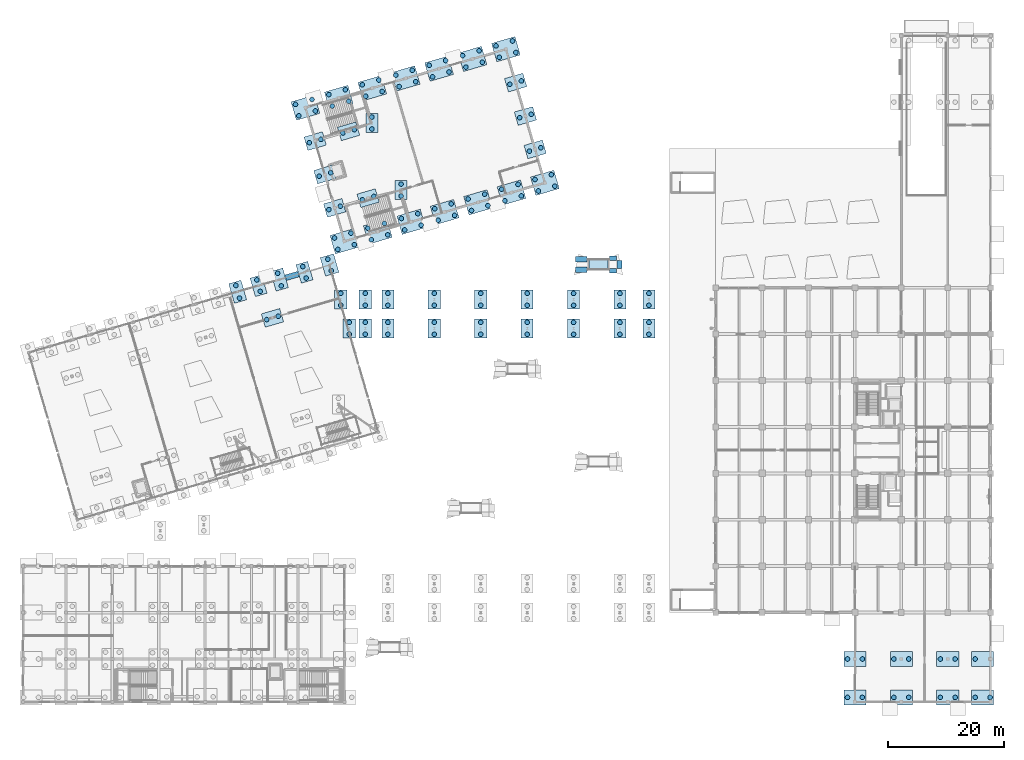
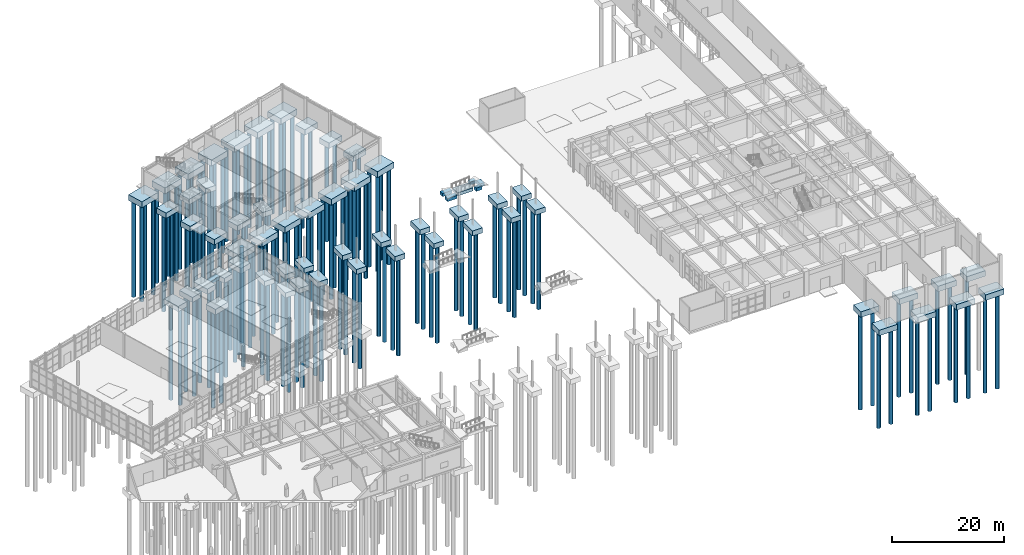
# One storey, part 3 of 90: 139 piles, 63 footings.
"""IFC4 building model written with IfcOpenShell, lengths in metres."""

from ifc_helpers import new_model, si_unit, direction, frame, origin, origin_2d, place, context, subcontext, project, spatial, rectangle, circle, extrude, material, material_profile, profile_set, type_object, element, save


model = new_model("IFC4")

# Units and contexts
model_context = context("Model", 3, precision=1e-05, world=origin(), true_north=direction((0.0, 1.0)))
body_context = subcontext(model_context, "Body", "Model", "MODEL_VIEW")
ifc_project = project(units=[si_unit("LENGTHUNIT", "METRE"), si_unit("AREAUNIT", "SQUARE_METRE"), si_unit("VOLUMEUNIT", "CUBIC_METRE"), si_unit("PLANEANGLEUNIT", "RADIAN"), si_unit("MASSUNIT", "GRAM", prefix="KILO")], contexts=[model_context])

# Site, building, storey
site_placement = place(None, origin())
site = spatial("IfcSite", under=ifc_project, at=site_placement, CompositionType="ELEMENT")
building_placement = place(site_placement, origin())
building = spatial("IfcBuilding", under=site, at=building_placement, Name="Canggui Botanical Conservatory", CompositionType="ELEMENT")
storey_placement = place(building_placement, origin())
storey = spatial("IfcBuildingStorey", under=building, at=storey_placement, Name="L01", CompositionType="ELEMENT", Elevation=0.0)

# Footings
ifc_material = material(Name="Concrete C35", Category="concrete")
footing_type_1 = type_object("IfcFootingType", Name="CAP-CT03", PredefinedType="PILE_CAP", material=ifc_material)
for number, where, z_axis, x_axis, name in (
    (1, (63.43994140625, 85.919921875, -1.5), (0.0, 0.0, 1.0), (-0.279999921111, 0.960000023009, 0.0), "Multi-Pile Cap CT-062"),
    (2, (53.60009765625, 76.800048828125, -1.5), (0.0, 0.0, 1.0), (0.960000000041, 0.279999999861, 0.0), "Multi-Pile Cap CT-070"),
    (3, (64.320068359375, 95.760009765625, -1.47998046875), (0.0, 0.0, 1.0), (0.960000000041, 0.279999999861, 0.0), "Multi-Pile Cap CT-085"),
    (4, (62.639892578125, 101.52001953125, -1.47998046875), (0.0, 0.0, 1.0), (0.960000000041, 0.279999999861, 0.0), "Multi-Pile Cap CT-086"),
    (5, (60.9599609375, 107.280029296875, -1.47998046875), (0.0, 0.0, 1.0), (0.960000000041, 0.279999999861, 0.0), "Multi-Pile Cap CT-087"),
    (6, (70.080078125, 97.43994140625, -1.47998046875), (0.0, 0.0, 1.0), (0.960000000041, 0.279999999861, 0.0), "Multi-Pile Cap CT-088"),
    (7, (66.719970703125, 108.9599609375, -1.47998046875), (0.0, 0.0, 1.0), (0.960000000041, 0.279999999861, 0.0), "Multi-Pile Cap CT-089"),
    (8, (98.8798828125, 105.840087890625, -1.47998046875), (0.0, 0.0, 1.0), (0.960000000041, 0.279999999861, 0.0), "Multi-Pile Cap CT-090"),
    (9, (97.199951171875, 111.60009765625, -1.47998046875), (0.0, 0.0, 1.0), (0.960000000041, 0.279999999861, 0.0), "Multi-Pile Cap CT-091"),
    (10, (95.52001953125, 117.360107421875, -1.47998046875), (0.0, 0.0, 1.0), (0.960000000041, 0.279999999861, 0.0), "Multi-Pile Cap CT-092"),
):
    element("IfcFooting", number, at=place(storey_placement, frame(where, z_axis=z_axis, x_axis=x_axis)), inside=storey, type_object=footing_type_1, Name=name, PredefinedType="PILE_CAP", context=body_context, shape_type="SweptSolid", body=[
        extrude(rectangle(XDim=3.300048828125, YDim=2.39990234375, at=origin_2d()), origin(), (0.0, 0.0, 1.0), 1.199951171875),
    ])
footing_type_2 = type_object("IfcFootingType", Name="CAP-CT04", PredefinedType="PILE_CAP", material=ifc_material)
for number, where, z_axis, x_axis, name in (
    (11, (154.0, 11.3798828125, -1.47998046875), (0.0, 0.0, 1.0), (1.0, 0.0, 0.0), "Multi-Pile Cap CT-093"),
    (12, (162.0, 11.3798828125, -1.47998046875), (0.0, 0.0, 1.0), (1.0, 0.0, 0.0), "Multi-Pile Cap CT-094"),
    (13, (170.0, 11.3798828125, -1.47998046875), (0.0, 0.0, 1.0), (1.0, 0.0, 0.0), "Multi-Pile Cap CT-095"),
    (14, (176.02001953125, 11.3798828125, -1.47998046875), (0.0, 0.0, 1.0), (1.0, 0.0, 0.0), "Multi-Pile Cap CT-096"),
    (15, (154.0, 18.0, -1.47998046875), (0.0, 0.0, 1.0), (1.0, 0.0, 0.0), "Multi-Pile Cap CT-097"),
    (16, (162.0, 18.0, -1.47998046875), (0.0, 0.0, 1.0), (1.0, 0.0, 0.0), "Multi-Pile Cap CT-098"),
    (17, (170.0, 18.0, -1.47998046875), (0.0, 0.0, 1.0), (1.0, 0.0, 0.0), "Multi-Pile Cap CT-099"),
    (18, (176.02001953125, 18.0, -1.47998046875), (0.0, 0.0, 1.0), (1.0, 0.0, 0.0), "Multi-Pile Cap CT-100"),
):
    element("IfcFooting", number, at=place(storey_placement, frame(where, z_axis=z_axis, x_axis=x_axis)), inside=storey, type_object=footing_type_2, Name=name, PredefinedType="PILE_CAP", context=body_context, shape_type="SweptSolid", body=[
        extrude(rectangle(XDim=3.800048828125, YDim=2.60009765625, at=origin_2d()), origin(), (0.0, 0.0, 1.0), 1.199951171875),
    ])
footing_type_3 = type_object("IfcFootingType", Name="CAP-CT05", PredefinedType="PILE_CAP", material=ifc_material)
for number, where, z_axis, x_axis, name in (
    (19, (47.60009765625, 81.300048828125, -1.449951171875), (0.0, 0.0, 1.0), (-0.279999921111, 0.960000023009, 0.0), "Multi-Pile Cap CT-058"),
    (20, (54.800048828125, 83.39990234375, -1.449951171875), (0.0, 0.0, 1.0), (-0.279999921111, 0.960000023009, 0.0), "Multi-Pile Cap CT-060"),
):
    element("IfcFooting", number, at=place(storey_placement, frame(where, z_axis=z_axis, x_axis=x_axis)), inside=storey, type_object=footing_type_3, Name=name, PredefinedType="PILE_CAP", context=body_context, shape_type="SweptSolid", body=[
        extrude(rectangle(XDim=3.5, YDim=2.199951171875, at=origin_2d()), origin(), (0.0, 0.0, 1.0), 1.14990234375),
    ])
footing_type_4 = type_object("IfcFootingType", Name="CAP-CT06", PredefinedType="PILE_CAP", material=ifc_material)
for number, where, z_axis, x_axis, name in (
    (21, (51.199951171875, 82.35009765625, -1.400146484375), (0.0, 0.0, 1.0), (-0.279999921111, 0.960000023009, 0.0), "Multi-Pile Cap CT-059"),
    (22, (59.1201171875, 84.659912109375, -1.400146484375), (0.0, 0.0, 1.0), (-0.279999921111, 0.960000023009, 0.0), "Multi-Pile Cap CT-061"),
    (23, (73.5, 75.0, -1.380126953125), (0.0, 0.0, 1.0), (0.0, 1.0, 0.0), "Multi-Pile Cap CT-109"),
    (24, (73.5, 80.0, -1.380126953125), (0.0, 0.0, 1.0), (0.0, 1.0, 0.0), "Multi-Pile Cap CT-110"),
    (25, (81.5, 75.0, -1.380126953125), (0.0, 0.0, 1.0), (0.0, 1.0, 0.0), "Multi-Pile Cap CT-113"),
    (26, (81.5, 80.0, -1.380126953125), (0.0, 0.0, 1.0), (0.0, 1.0, 0.0), "Multi-Pile Cap CT-114"),
    (27, (89.5, 75.0, -1.380126953125), (0.0, 0.0, 1.0), (0.0, 1.0, 0.0), "Multi-Pile Cap CT-117"),
    (28, (89.5, 80.0, -1.380126953125), (0.0, 0.0, 1.0), (0.0, 1.0, 0.0), "Multi-Pile Cap CT-118"),
    (29, (97.5, 75.0, -1.380126953125), (0.0, 0.0, 1.0), (0.0, 1.0, 0.0), "Multi-Pile Cap CT-121"),
    (30, (97.5, 80.0, -1.380126953125), (0.0, 0.0, 1.0), (0.0, 1.0, 0.0), "Multi-Pile Cap CT-122"),
    (31, (105.5, 75.0, -1.380126953125), (0.0, 0.0, 1.0), (0.0, 1.0, 0.0), "Multi-Pile Cap CT-125"),
    (32, (105.5, 80.0, -1.380126953125), (0.0, 0.0, 1.0), (0.0, 1.0, 0.0), "Multi-Pile Cap CT-126"),
    (33, (113.5, 75.0, -1.380126953125), (0.0, 0.0, 1.0), (0.0, 1.0, 0.0), "Multi-Pile Cap CT-129"),
    (34, (113.5, 80.0, -1.380126953125), (0.0, 0.0, 1.0), (0.0, 1.0, 0.0), "Multi-Pile Cap CT-130"),
    (35, (118.5, 75.0, -1.380126953125), (0.0, 0.0, 1.0), (0.0, 1.0, 0.0), "Multi-Pile Cap CT-133"),
    (36, (118.5, 80.0, -1.380126953125), (0.0, 0.0, 1.0), (0.0, 1.0, 0.0), "Multi-Pile Cap CT-134"),
    (37, (66.830078125, 75.0, -1.380126953125), (0.0, 0.0, 1.0), (0.0, 1.0, 0.0), "Multi-Pile Cap CT-135"),
    (38, (65.3701171875, 80.0, -1.380126953125), (0.0, 0.0, 1.0), (0.0, 1.0, 0.0), "Multi-Pile Cap CT-136"),
    (39, (69.60009765625, 75.0, -1.380126953125), (0.0, 0.0, 1.0), (0.0, 1.0, 0.0), "Multi-Pile Cap CT-137"),
    (40, (69.60009765625, 80.0, -1.380126953125), (0.0, 0.0, 1.0), (0.0, 1.0, 0.0), "Multi-Pile Cap CT-138"),
    (41, (75.76611328125, 98.837890625, -1.380126953125), (0.0, 0.0, 1.0), (0.0, 1.0, 0.0), "Multi-Pile Cap CT-142"),
    (42, (70.72998046875, 110.389892578125, -1.380126953125), (0.0, 0.0, 1.0), (0.0, 1.0, 0.0), "Multi-Pile Cap CT-143"),
):
    element("IfcFooting", number, at=place(storey_placement, frame(where, z_axis=z_axis, x_axis=x_axis)), inside=storey, type_object=footing_type_4, Name=name, PredefinedType="PILE_CAP", context=body_context, shape_type="SweptSolid", body=[
        extrude(rectangle(XDim=3.300048828125, YDim=2.10009765625, at=origin_2d()), origin(), (0.0, 0.0, 1.0), 1.10009765625),
    ])
footing_type_5 = type_object("IfcFootingType", Name="CAP-CT08", PredefinedType="PILE_CAP", material=ifc_material)
for number, where, z_axis, x_axis, name in (
    (43, (66.0, 90.0, -1.580078125), (0.0, 0.0, 1.0), (0.960000000041, 0.279999999861, 0.0), "Multi-Pile Cap CT-071"),
    (44, (59.280029296875, 113.0400390625, -1.580078125), (0.0, 0.0, 1.0), (0.960000000041, 0.279999999861, 0.0), "Multi-Pile Cap CT-072"),
    (45, (71.760009765625, 91.679931640625, -1.580078125), (0.0, 0.0, 1.0), (0.960000000041, 0.279999999861, 0.0), "Multi-Pile Cap CT-073"),
    (46, (65.0400390625, 114.719970703125, -1.580078125), (0.0, 0.0, 1.0), (0.960000000041, 0.279999999861, 0.0), "Multi-Pile Cap CT-074"),
    (47, (77.52001953125, 93.360107421875, -1.580078125), (0.0, 0.0, 1.0), (0.960000000041, 0.279999999861, 0.0), "Multi-Pile Cap CT-075"),
    (48, (70.800048828125, 116.39990234375, -1.580078125), (0.0, 0.0, 1.0), (0.960000000041, 0.279999999861, 0.0), "Multi-Pile Cap CT-076"),
    (49, (83.280029296875, 95.0400390625, -1.580078125), (0.0, 0.0, 1.0), (0.960000000041, 0.279999999861, 0.0), "Multi-Pile Cap CT-077"),
    (50, (76.56005859375, 118.080078125, -1.580078125), (0.0, 0.0, 1.0), (0.960000000041, 0.279999999861, 0.0), "Multi-Pile Cap CT-078"),
    (51, (89.0400390625, 96.719970703125, -1.580078125), (0.0, 0.0, 1.0), (0.960000000041, 0.279999999861, 0.0), "Multi-Pile Cap CT-079"),
    (52, (82.320068359375, 119.760009765625, -1.580078125), (0.0, 0.0, 1.0), (0.960000000041, 0.279999999861, 0.0), "Multi-Pile Cap CT-080"),
    (53, (94.800048828125, 98.39990234375, -1.580078125), (0.0, 0.0, 1.0), (0.960000000041, 0.279999999861, 0.0), "Multi-Pile Cap CT-081"),
    (54, (88.080078125, 121.43994140625, -1.580078125), (0.0, 0.0, 1.0), (0.960000000041, 0.279999999861, 0.0), "Multi-Pile Cap CT-082"),
    (55, (100.56005859375, 100.080078125, -1.580078125), (0.0, 0.0, 1.0), (0.960000000041, 0.279999999861, 0.0), "Multi-Pile Cap CT-083"),
    (56, (93.840087890625, 123.1201171875, -1.580078125), (0.0, 0.0, 1.0), (0.960000000041, 0.279999999861, 0.0), "Multi-Pile Cap CT-084"),
):
    element("IfcFooting", number, at=place(storey_placement, frame(where, z_axis=z_axis, x_axis=x_axis)), inside=storey, type_object=footing_type_5, Name=name, PredefinedType="PILE_CAP", context=body_context, shape_type="SweptSolid", body=[
        extrude(rectangle(XDim=4.199951171875, YDim=3.300048828125, at=origin_2d()), origin(), (0.0, 0.0, 1.0), 1.300048828125),
    ])

# Piles
ifc_material_profile = material_profile(ifc_material, circle(Radius=0.39990234375, at=origin_2d()), Name="PILE D800")
ifc_profile_set = profile_set([ifc_material_profile], Name="Concrete C35")
pile_type = type_object("IfcPileType", Name="PILE-ZH2", PredefinedType="BORED", material=ifc_profile_set)
for number, where, z_axis, x_axis, name in (
    (57, (47.91650390625, 80.215087890625, -1.35009765625), (0.0, 0.0, -1.0), (1.0, 0.0, 0.0), "Bored Pile ZH-CAP-257"),
    (58, (47.28369140625, 82.384765625, -1.35009765625), (0.0, 0.0, -1.0), (1.0, 0.0, 0.0), "Bored Pile ZH-CAP-258"),
):
    element("IfcPile", number, at=place(storey_placement, frame(where, z_axis=z_axis, x_axis=x_axis)), inside=storey, type_object=pile_type, Name=name, PredefinedType="BORED", context=body_context, shape_type="SweptSolid", body=[
        extrude(circle(Radius=0.39990234375, at=origin_2d()), origin(), (0.0, 0.0, 1.0), 21.14990234375),
    ])
for number, where, z_axis, x_axis, name in (
    (59, (51.48828125, 81.361083984375, -1.300048828125), (0.0, 0.0, -1.0), (1.0, 0.0, 0.0), "Bored Pile ZH-CAP-259"),
    (60, (50.91162109375, 83.3388671875, -1.300048828125), (0.0, 0.0, -1.0), (1.0, 0.0, 0.0), "Bored Pile ZH-CAP-260"),
):
    element("IfcPile", number, at=place(storey_placement, frame(where, z_axis=z_axis, x_axis=x_axis)), inside=storey, type_object=pile_type, Name=name, PredefinedType="BORED", context=body_context, shape_type="SweptSolid", body=[
        extrude(circle(Radius=0.39990234375, at=origin_2d()), origin(), (0.0, 0.0, 1.0), 21.199951171875),
    ])
for number, where, z_axis, x_axis, name in (
    (61, (55.116455078125, 82.315185546875, -1.35009765625), (0.0, 0.0, -1.0), (1.0, 0.0, 0.0), "Bored Pile ZH-CAP-261"),
    (62, (54.483642578125, 84.48486328125, -1.35009765625), (0.0, 0.0, -1.0), (1.0, 0.0, 0.0), "Bored Pile ZH-CAP-262"),
):
    element("IfcPile", number, at=place(storey_placement, frame(where, z_axis=z_axis, x_axis=x_axis)), inside=storey, type_object=pile_type, Name=name, PredefinedType="BORED", context=body_context, shape_type="SweptSolid", body=[
        extrude(circle(Radius=0.39990234375, at=origin_2d()), origin(), (0.0, 0.0, 1.0), 21.14990234375),
    ])
for number, where, z_axis, x_axis, name in (
    (63, (59.408447265625, 83.671142578125, -1.300048828125), (0.0, 0.0, -1.0), (1.0, 0.0, 0.0), "Bored Pile ZH-CAP-263"),
    (64, (58.83154296875, 85.648681640625, -1.300048828125), (0.0, 0.0, -1.0), (1.0, 0.0, 0.0), "Bored Pile ZH-CAP-264"),
):
    element("IfcPile", number, at=place(storey_placement, frame(where, z_axis=z_axis, x_axis=x_axis)), inside=storey, type_object=pile_type, Name=name, PredefinedType="BORED", context=body_context, shape_type="SweptSolid", body=[
        extrude(circle(Radius=0.39990234375, at=origin_2d()), origin(), (0.0, 0.0, 1.0), 21.199951171875),
    ])
for number, where, z_axis, x_axis, name in (
    (65, (63.728515625, 84.93115234375, -1.39990234375), (0.0, 0.0, -1.0), (1.0, 0.0, 0.0), "Bored Pile ZH-CAP-265"),
    (66, (63.151611328125, 86.90869140625, -1.39990234375), (0.0, 0.0, -1.0), (1.0, 0.0, 0.0), "Bored Pile ZH-CAP-266"),
    (67, (52.611083984375, 76.51171875, -1.39990234375), (0.0, 0.0, -1.0), (1.0, 0.0, 0.0), "Bored Pile ZH-CAP-281"),
    (68, (54.5888671875, 77.08837890625, -1.39990234375), (0.0, 0.0, -1.0), (1.0, 0.0, 0.0), "Bored Pile ZH-CAP-282"),
):
    element("IfcPile", number, at=place(storey_placement, frame(where, z_axis=z_axis, x_axis=x_axis)), inside=storey, type_object=pile_type, Name=name, PredefinedType="BORED", context=body_context, shape_type="SweptSolid", body=[
        extrude(circle(Radius=0.39990234375, at=origin_2d()), origin(), (0.0, 0.0, 1.0), 21.10009765625),
    ])
for number, where, z_axis, x_axis, name in (
    (69, (64.86767578125, 88.5966796875, -1.47998046875), (0.0, 0.0, -1.0), (1.0, 0.0, 0.0), "Bored Pile ZH-CAP-283"),
    (70, (67.709228515625, 89.425537109375, -1.47998046875), (0.0, 0.0, -1.0), (1.0, 0.0, 0.0), "Bored Pile ZH-CAP-284"),
    (71, (64.290771484375, 90.574462890625, -1.47998046875), (0.0, 0.0, -1.0), (1.0, 0.0, 0.0), "Bored Pile ZH-CAP-285"),
    (72, (67.13232421875, 91.4033203125, -1.47998046875), (0.0, 0.0, -1.0), (1.0, 0.0, 0.0), "Bored Pile ZH-CAP-286"),
    (73, (58.147705078125, 111.63671875, -1.47998046875), (0.0, 0.0, -1.0), (1.0, 0.0, 0.0), "Bored Pile ZH-CAP-287"),
    (74, (60.9892578125, 112.465576171875, -1.47998046875), (0.0, 0.0, -1.0), (1.0, 0.0, 0.0), "Bored Pile ZH-CAP-288"),
    (75, (57.57080078125, 113.614501953125, -1.47998046875), (0.0, 0.0, -1.0), (1.0, 0.0, 0.0), "Bored Pile ZH-CAP-289"),
    (76, (60.412353515625, 114.443115234375, -1.47998046875), (0.0, 0.0, -1.0), (1.0, 0.0, 0.0), "Bored Pile ZH-CAP-290"),
    (77, (70.627685546875, 90.27685546875, -1.47998046875), (0.0, 0.0, -1.0), (1.0, 0.0, 0.0), "Bored Pile ZH-CAP-291"),
    (78, (73.46923828125, 91.105712890625, -1.47998046875), (0.0, 0.0, -1.0), (1.0, 0.0, 0.0), "Bored Pile ZH-CAP-292"),
    (79, (70.05078125, 92.25439453125, -1.47998046875), (0.0, 0.0, -1.0), (1.0, 0.0, 0.0), "Bored Pile ZH-CAP-293"),
    (80, (72.892333984375, 93.083251953125, -1.47998046875), (0.0, 0.0, -1.0), (1.0, 0.0, 0.0), "Bored Pile ZH-CAP-294"),
    (81, (63.90771484375, 113.31689453125, -1.47998046875), (0.0, 0.0, -1.0), (1.0, 0.0, 0.0), "Bored Pile ZH-CAP-295"),
    (82, (66.749267578125, 114.1455078125, -1.47998046875), (0.0, 0.0, -1.0), (1.0, 0.0, 0.0), "Bored Pile ZH-CAP-296"),
    (83, (63.330810546875, 115.29443359375, -1.47998046875), (0.0, 0.0, -1.0), (1.0, 0.0, 0.0), "Bored Pile ZH-CAP-297"),
    (84, (66.17236328125, 116.123291015625, -1.47998046875), (0.0, 0.0, -1.0), (1.0, 0.0, 0.0), "Bored Pile ZH-CAP-298"),
    (85, (76.3876953125, 91.956787109375, -1.47998046875), (0.0, 0.0, -1.0), (1.0, 0.0, 0.0), "Bored Pile ZH-CAP-299"),
    (86, (79.229248046875, 92.78564453125, -1.47998046875), (0.0, 0.0, -1.0), (1.0, 0.0, 0.0), "Bored Pile ZH-CAP-300"),
    (87, (75.810791015625, 93.934326171875, -1.47998046875), (0.0, 0.0, -1.0), (1.0, 0.0, 0.0), "Bored Pile ZH-CAP-301"),
    (88, (78.65234375, 94.76318359375, -1.47998046875), (0.0, 0.0, -1.0), (1.0, 0.0, 0.0), "Bored Pile ZH-CAP-302"),
    (89, (69.66748046875, 114.996826171875, -1.47998046875), (0.0, 0.0, -1.0), (1.0, 0.0, 0.0), "Bored Pile ZH-CAP-303"),
    (90, (72.50927734375, 115.82568359375, -1.47998046875), (0.0, 0.0, -1.0), (1.0, 0.0, 0.0), "Bored Pile ZH-CAP-304"),
    (91, (69.0908203125, 116.974365234375, -1.47998046875), (0.0, 0.0, -1.0), (1.0, 0.0, 0.0), "Bored Pile ZH-CAP-305"),
    (92, (71.932373046875, 117.80322265625, -1.47998046875), (0.0, 0.0, -1.0), (1.0, 0.0, 0.0), "Bored Pile ZH-CAP-306"),
    (93, (82.147705078125, 93.63671875, -1.47998046875), (0.0, 0.0, -1.0), (1.0, 0.0, 0.0), "Bored Pile ZH-CAP-307"),
    (94, (84.9892578125, 94.465576171875, -1.47998046875), (0.0, 0.0, -1.0), (1.0, 0.0, 0.0), "Bored Pile ZH-CAP-308"),
    (95, (81.57080078125, 95.614501953125, -1.47998046875), (0.0, 0.0, -1.0), (1.0, 0.0, 0.0), "Bored Pile ZH-CAP-309"),
    (96, (84.412353515625, 96.443115234375, -1.47998046875), (0.0, 0.0, -1.0), (1.0, 0.0, 0.0), "Bored Pile ZH-CAP-310"),
    (97, (75.427490234375, 116.6767578125, -1.47998046875), (0.0, 0.0, -1.0), (1.0, 0.0, 0.0), "Bored Pile ZH-CAP-311"),
    (98, (78.269287109375, 117.505615234375, -1.47998046875), (0.0, 0.0, -1.0), (1.0, 0.0, 0.0), "Bored Pile ZH-CAP-312"),
    (99, (74.850830078125, 118.654296875, -1.47998046875), (0.0, 0.0, -1.0), (1.0, 0.0, 0.0), "Bored Pile ZH-CAP-313"),
    (100, (77.6923828125, 119.483154296875, -1.47998046875), (0.0, 0.0, -1.0), (1.0, 0.0, 0.0), "Bored Pile ZH-CAP-314"),
    (101, (87.90771484375, 95.31689453125, -1.47998046875), (0.0, 0.0, -1.0), (1.0, 0.0, 0.0), "Bored Pile ZH-CAP-315"),
    (102, (90.749267578125, 96.1455078125, -1.47998046875), (0.0, 0.0, -1.0), (1.0, 0.0, 0.0), "Bored Pile ZH-CAP-316"),
    (103, (87.330810546875, 97.29443359375, -1.47998046875), (0.0, 0.0, -1.0), (1.0, 0.0, 0.0), "Bored Pile ZH-CAP-317"),
    (104, (90.17236328125, 98.123291015625, -1.47998046875), (0.0, 0.0, -1.0), (1.0, 0.0, 0.0), "Bored Pile ZH-CAP-318"),
    (105, (81.1875, 118.356689453125, -1.47998046875), (0.0, 0.0, -1.0), (1.0, 0.0, 0.0), "Bored Pile ZH-CAP-319"),
    (106, (84.029296875, 119.185546875, -1.47998046875), (0.0, 0.0, -1.0), (1.0, 0.0, 0.0), "Bored Pile ZH-CAP-320"),
    (107, (80.61083984375, 120.33447265625, -1.47998046875), (0.0, 0.0, -1.0), (1.0, 0.0, 0.0), "Bored Pile ZH-CAP-321"),
    (108, (83.452392578125, 121.1630859375, -1.47998046875), (0.0, 0.0, -1.0), (1.0, 0.0, 0.0), "Bored Pile ZH-CAP-322"),
    (109, (93.66748046875, 96.996826171875, -1.47998046875), (0.0, 0.0, -1.0), (1.0, 0.0, 0.0), "Bored Pile ZH-CAP-323"),
    (110, (96.50927734375, 97.82568359375, -1.47998046875), (0.0, 0.0, -1.0), (1.0, 0.0, 0.0), "Bored Pile ZH-CAP-324"),
    (111, (93.0908203125, 98.974365234375, -1.47998046875), (0.0, 0.0, -1.0), (1.0, 0.0, 0.0), "Bored Pile ZH-CAP-325"),
    (112, (95.932373046875, 99.80322265625, -1.47998046875), (0.0, 0.0, -1.0), (1.0, 0.0, 0.0), "Bored Pile ZH-CAP-326"),
    (113, (86.947509765625, 120.036865234375, -1.47998046875), (0.0, 0.0, -1.0), (1.0, 0.0, 0.0), "Bored Pile ZH-CAP-327"),
    (114, (89.789306640625, 120.865478515625, -1.47998046875), (0.0, 0.0, -1.0), (1.0, 0.0, 0.0), "Bored Pile ZH-CAP-328"),
    (115, (86.370849609375, 122.014404296875, -1.47998046875), (0.0, 0.0, -1.0), (1.0, 0.0, 0.0), "Bored Pile ZH-CAP-329"),
    (116, (89.21240234375, 122.84326171875, -1.47998046875), (0.0, 0.0, -1.0), (1.0, 0.0, 0.0), "Bored Pile ZH-CAP-330"),
    (117, (99.427490234375, 98.6767578125, -1.47998046875), (0.0, 0.0, -1.0), (1.0, 0.0, 0.0), "Bored Pile ZH-CAP-331"),
    (118, (102.269287109375, 99.505615234375, -1.47998046875), (0.0, 0.0, -1.0), (1.0, 0.0, 0.0), "Bored Pile ZH-CAP-332"),
    (119, (98.850830078125, 100.654296875, -1.47998046875), (0.0, 0.0, -1.0), (1.0, 0.0, 0.0), "Bored Pile ZH-CAP-333"),
    (120, (101.6923828125, 101.483154296875, -1.47998046875), (0.0, 0.0, -1.0), (1.0, 0.0, 0.0), "Bored Pile ZH-CAP-334"),
    (121, (92.70751953125, 121.716796875, -1.47998046875), (0.0, 0.0, -1.0), (1.0, 0.0, 0.0), "Bored Pile ZH-CAP-335"),
    (122, (95.54931640625, 122.545654296875, -1.47998046875), (0.0, 0.0, -1.0), (1.0, 0.0, 0.0), "Bored Pile ZH-CAP-336"),
    (123, (92.130859375, 123.6943359375, -1.47998046875), (0.0, 0.0, -1.0), (1.0, 0.0, 0.0), "Bored Pile ZH-CAP-337"),
    (124, (94.972412109375, 124.523193359375, -1.47998046875), (0.0, 0.0, -1.0), (1.0, 0.0, 0.0), "Bored Pile ZH-CAP-338"),
):
    element("IfcPile", number, at=place(storey_placement, frame(where, z_axis=z_axis, x_axis=x_axis)), inside=storey, type_object=pile_type, Name=name, PredefinedType="BORED", context=body_context, shape_type="SweptSolid", body=[
        extrude(circle(Radius=0.39990234375, at=origin_2d()), origin(), (0.0, 0.0, 1.0), 21.02001953125),
    ])
for number, where, z_axis, x_axis, name in (
    (125, (63.331298828125, 95.4716796875, -1.3798828125), (0.0, 0.0, -1.0), (1.0, 0.0, 0.0), "Bored Pile ZH-CAP-339"),
    (126, (65.308837890625, 96.04833984375, -1.3798828125), (0.0, 0.0, -1.0), (1.0, 0.0, 0.0), "Bored Pile ZH-CAP-340"),
    (127, (61.651123046875, 101.231689453125, -1.3798828125), (0.0, 0.0, -1.0), (1.0, 0.0, 0.0), "Bored Pile ZH-CAP-341"),
    (128, (63.62890625, 101.808349609375, -1.3798828125), (0.0, 0.0, -1.0), (1.0, 0.0, 0.0), "Bored Pile ZH-CAP-342"),
    (129, (59.97119140625, 106.99169921875, -1.3798828125), (0.0, 0.0, -1.0), (1.0, 0.0, 0.0), "Bored Pile ZH-CAP-343"),
    (130, (61.94873046875, 107.568359375, -1.3798828125), (0.0, 0.0, -1.0), (1.0, 0.0, 0.0), "Bored Pile ZH-CAP-344"),
    (131, (69.09130859375, 97.151611328125, -1.3798828125), (0.0, 0.0, -1.0), (1.0, 0.0, 0.0), "Bored Pile ZH-CAP-345"),
    (132, (71.06884765625, 97.728515625, -1.3798828125), (0.0, 0.0, -1.0), (1.0, 0.0, 0.0), "Bored Pile ZH-CAP-346"),
    (133, (65.731201171875, 108.671630859375, -1.3798828125), (0.0, 0.0, -1.0), (1.0, 0.0, 0.0), "Bored Pile ZH-CAP-347"),
    (134, (67.708740234375, 109.248291015625, -1.3798828125), (0.0, 0.0, -1.0), (1.0, 0.0, 0.0), "Bored Pile ZH-CAP-348"),
    (135, (97.89111328125, 105.551513671875, -1.3798828125), (0.0, 0.0, -1.0), (1.0, 0.0, 0.0), "Bored Pile ZH-CAP-349"),
    (136, (99.868896484375, 106.12841796875, -1.3798828125), (0.0, 0.0, -1.0), (1.0, 0.0, 0.0), "Bored Pile ZH-CAP-350"),
    (137, (96.211181640625, 111.3115234375, -1.3798828125), (0.0, 0.0, -1.0), (1.0, 0.0, 0.0), "Bored Pile ZH-CAP-351"),
    (138, (98.188720703125, 111.888427734375, -1.3798828125), (0.0, 0.0, -1.0), (1.0, 0.0, 0.0), "Bored Pile ZH-CAP-352"),
    (139, (94.53125, 117.071533203125, -1.3798828125), (0.0, 0.0, -1.0), (1.0, 0.0, 0.0), "Bored Pile ZH-CAP-353"),
    (140, (96.5087890625, 117.6484375, -1.3798828125), (0.0, 0.0, -1.0), (1.0, 0.0, 0.0), "Bored Pile ZH-CAP-354"),
    (141, (152.719970703125, 11.3798828125, -1.3798828125), (0.0, 0.0, -1.0), (1.0, 0.0, 0.0), "Bored Pile ZH-CAP-355"),
    (142, (155.280029296875, 11.3798828125, -1.3798828125), (0.0, 0.0, -1.0), (1.0, 0.0, 0.0), "Bored Pile ZH-CAP-356"),
    (143, (160.719970703125, 11.3798828125, -1.3798828125), (0.0, 0.0, -1.0), (1.0, 0.0, 0.0), "Bored Pile ZH-CAP-357"),
    (144, (163.280029296875, 11.3798828125, -1.3798828125), (0.0, 0.0, -1.0), (1.0, 0.0, 0.0), "Bored Pile ZH-CAP-358"),
    (145, (168.719970703125, 11.3798828125, -1.3798828125), (0.0, 0.0, -1.0), (1.0, 0.0, 0.0), "Bored Pile ZH-CAP-359"),
    (146, (171.280029296875, 11.3798828125, -1.3798828125), (0.0, 0.0, -1.0), (1.0, 0.0, 0.0), "Bored Pile ZH-CAP-360"),
    (147, (174.739990234375, 11.3798828125, -1.3798828125), (0.0, 0.0, -1.0), (1.0, 0.0, 0.0), "Bored Pile ZH-CAP-361"),
    (148, (177.300048828125, 11.3798828125, -1.3798828125), (0.0, 0.0, -1.0), (1.0, 0.0, 0.0), "Bored Pile ZH-CAP-362"),
    (149, (152.719970703125, 18.0, -1.3798828125), (0.0, 0.0, -1.0), (1.0, 0.0, 0.0), "Bored Pile ZH-CAP-363"),
    (150, (155.280029296875, 18.0, -1.3798828125), (0.0, 0.0, -1.0), (1.0, 0.0, 0.0), "Bored Pile ZH-CAP-364"),
    (151, (160.719970703125, 18.0, -1.3798828125), (0.0, 0.0, -1.0), (1.0, 0.0, 0.0), "Bored Pile ZH-CAP-365"),
    (152, (163.280029296875, 18.0, -1.3798828125), (0.0, 0.0, -1.0), (1.0, 0.0, 0.0), "Bored Pile ZH-CAP-366"),
    (153, (168.719970703125, 18.0, -1.3798828125), (0.0, 0.0, -1.0), (1.0, 0.0, 0.0), "Bored Pile ZH-CAP-367"),
    (154, (171.280029296875, 18.0, -1.3798828125), (0.0, 0.0, -1.0), (1.0, 0.0, 0.0), "Bored Pile ZH-CAP-368"),
    (155, (174.739990234375, 18.0, -1.3798828125), (0.0, 0.0, -1.0), (1.0, 0.0, 0.0), "Bored Pile ZH-CAP-369"),
):
    element("IfcPile", number, at=place(storey_placement, frame(where, z_axis=z_axis, x_axis=x_axis)), inside=storey, type_object=pile_type, Name=name, PredefinedType="BORED", context=body_context, shape_type="SweptSolid", body=[
        extrude(circle(Radius=0.39990234375, at=origin_2d()), origin(), (0.0, 0.0, 1.0), 21.1201171875),
    ])
for number, where, z_axis, x_axis, name in (
    (156, (73.5, 73.969970703125, -1.280029296875), (0.0, 0.0, -1.0), (1.0, 0.0, 0.0), "Bored Pile ZH-CAP-387"),
    (157, (73.5, 76.030029296875, -1.280029296875), (0.0, 0.0, -1.0), (1.0, 0.0, 0.0), "Bored Pile ZH-CAP-388"),
    (158, (73.5, 78.969970703125, -1.280029296875), (0.0, 0.0, -1.0), (1.0, 0.0, 0.0), "Bored Pile ZH-CAP-389"),
    (159, (73.5, 81.030029296875, -1.280029296875), (0.0, 0.0, -1.0), (1.0, 0.0, 0.0), "Bored Pile ZH-CAP-390"),
    (160, (81.5, 73.969970703125, -1.280029296875), (0.0, 0.0, -1.0), (1.0, 0.0, 0.0), "Bored Pile ZH-CAP-395"),
    (161, (81.5, 76.030029296875, -1.280029296875), (0.0, 0.0, -1.0), (1.0, 0.0, 0.0), "Bored Pile ZH-CAP-396"),
    (162, (81.5, 78.969970703125, -1.280029296875), (0.0, 0.0, -1.0), (1.0, 0.0, 0.0), "Bored Pile ZH-CAP-397"),
    (163, (81.5, 81.030029296875, -1.280029296875), (0.0, 0.0, -1.0), (1.0, 0.0, 0.0), "Bored Pile ZH-CAP-398"),
    (164, (89.5, 73.969970703125, -1.280029296875), (0.0, 0.0, -1.0), (1.0, 0.0, 0.0), "Bored Pile ZH-CAP-403"),
    (165, (89.5, 76.030029296875, -1.280029296875), (0.0, 0.0, -1.0), (1.0, 0.0, 0.0), "Bored Pile ZH-CAP-404"),
    (166, (89.5, 78.969970703125, -1.280029296875), (0.0, 0.0, -1.0), (1.0, 0.0, 0.0), "Bored Pile ZH-CAP-405"),
    (167, (89.5, 81.030029296875, -1.280029296875), (0.0, 0.0, -1.0), (1.0, 0.0, 0.0), "Bored Pile ZH-CAP-406"),
    (168, (97.5, 73.969970703125, -1.280029296875), (0.0, 0.0, -1.0), (1.0, 0.0, 0.0), "Bored Pile ZH-CAP-411"),
    (169, (97.5, 76.030029296875, -1.280029296875), (0.0, 0.0, -1.0), (1.0, 0.0, 0.0), "Bored Pile ZH-CAP-412"),
    (170, (97.5, 78.969970703125, -1.280029296875), (0.0, 0.0, -1.0), (1.0, 0.0, 0.0), "Bored Pile ZH-CAP-413"),
    (171, (97.5, 81.030029296875, -1.280029296875), (0.0, 0.0, -1.0), (1.0, 0.0, 0.0), "Bored Pile ZH-CAP-414"),
    (172, (105.5, 73.969970703125, -1.280029296875), (0.0, 0.0, -1.0), (1.0, 0.0, 0.0), "Bored Pile ZH-CAP-419"),
    (173, (105.5, 76.030029296875, -1.280029296875), (0.0, 0.0, -1.0), (1.0, 0.0, 0.0), "Bored Pile ZH-CAP-420"),
    (174, (105.5, 78.969970703125, -1.280029296875), (0.0, 0.0, -1.0), (1.0, 0.0, 0.0), "Bored Pile ZH-CAP-421"),
    (175, (105.5, 81.030029296875, -1.280029296875), (0.0, 0.0, -1.0), (1.0, 0.0, 0.0), "Bored Pile ZH-CAP-422"),
    (176, (113.5, 73.969970703125, -1.280029296875), (0.0, 0.0, -1.0), (1.0, 0.0, 0.0), "Bored Pile ZH-CAP-427"),
    (177, (113.5, 76.030029296875, -1.280029296875), (0.0, 0.0, -1.0), (1.0, 0.0, 0.0), "Bored Pile ZH-CAP-428"),
    (178, (113.5, 78.969970703125, -1.280029296875), (0.0, 0.0, -1.0), (1.0, 0.0, 0.0), "Bored Pile ZH-CAP-429"),
    (179, (113.5, 81.030029296875, -1.280029296875), (0.0, 0.0, -1.0), (1.0, 0.0, 0.0), "Bored Pile ZH-CAP-430"),
    (180, (118.5, 73.969970703125, -1.280029296875), (0.0, 0.0, -1.0), (1.0, 0.0, 0.0), "Bored Pile ZH-CAP-435"),
    (181, (118.5, 76.030029296875, -1.280029296875), (0.0, 0.0, -1.0), (1.0, 0.0, 0.0), "Bored Pile ZH-CAP-436"),
    (182, (118.5, 78.969970703125, -1.280029296875), (0.0, 0.0, -1.0), (1.0, 0.0, 0.0), "Bored Pile ZH-CAP-437"),
    (183, (118.5, 81.030029296875, -1.280029296875), (0.0, 0.0, -1.0), (1.0, 0.0, 0.0), "Bored Pile ZH-CAP-438"),
    (184, (66.830078125, 73.969970703125, -1.280029296875), (0.0, 0.0, -1.0), (1.0, 0.0, 0.0), "Bored Pile ZH-CAP-439"),
    (185, (66.830078125, 76.030029296875, -1.280029296875), (0.0, 0.0, -1.0), (1.0, 0.0, 0.0), "Bored Pile ZH-CAP-440"),
    (186, (65.3701171875, 78.969970703125, -1.280029296875), (0.0, 0.0, -1.0), (1.0, 0.0, 0.0), "Bored Pile ZH-CAP-441"),
    (187, (65.3701171875, 81.030029296875, -1.280029296875), (0.0, 0.0, -1.0), (1.0, 0.0, 0.0), "Bored Pile ZH-CAP-442"),
    (188, (69.60009765625, 73.969970703125, -1.280029296875), (0.0, 0.0, -1.0), (1.0, 0.0, 0.0), "Bored Pile ZH-CAP-443"),
    (189, (69.60009765625, 76.030029296875, -1.280029296875), (0.0, 0.0, -1.0), (1.0, 0.0, 0.0), "Bored Pile ZH-CAP-444"),
    (190, (69.60009765625, 78.969970703125, -1.280029296875), (0.0, 0.0, -1.0), (1.0, 0.0, 0.0), "Bored Pile ZH-CAP-445"),
    (191, (69.60009765625, 81.030029296875, -1.280029296875), (0.0, 0.0, -1.0), (1.0, 0.0, 0.0), "Bored Pile ZH-CAP-446"),
    (192, (75.76611328125, 97.80810546875, -1.280029296875), (0.0, 0.0, -1.0), (1.0, 0.0, 0.0), "Bored Pile ZH-CAP-453"),
    (193, (75.76611328125, 99.867919921875, -1.280029296875), (0.0, 0.0, -1.0), (1.0, 0.0, 0.0), "Bored Pile ZH-CAP-454"),
    (194, (70.72998046875, 109.360107421875, -1.280029296875), (0.0, 0.0, -1.0), (1.0, 0.0, 0.0), "Bored Pile ZH-CAP-455"),
    (195, (70.72998046875, 111.419921875, -1.280029296875), (0.0, 0.0, -1.0), (1.0, 0.0, 0.0), "Bored Pile ZH-CAP-456"),
):
    element("IfcPile", number, at=place(storey_placement, frame(where, z_axis=z_axis, x_axis=x_axis)), inside=storey, type_object=pile_type, Name=name, PredefinedType="BORED", context=body_context, shape_type="SweptSolid", body=[
        extrude(circle(Radius=0.39990234375, at=origin_2d()), origin(), (0.0, 0.0, 1.0), 21.219970703125),
    ])

# Footings
footing_type_6 = type_object("IfcFootingType", Name="SF-01", PredefinedType="STRIP_FOOTING", material=ifc_material)
for number, where, z_axis, x_axis, name in (
    (196, (106.800048828125, 85.10009765625, -1.18017578125), (0.0, 0.0, 1.0), (1.0, 0.0, 0.0), "PR-04 Lower South Strip Footing"),
    (197, (106.800048828125, 86.89990234375, -1.18017578125), (0.0, 0.0, 1.0), (1.0, 0.0, 0.0), "PR-04 Lower North Strip Footing"),
):
    element("IfcFooting", number, at=place(storey_placement, frame(where, z_axis=z_axis, x_axis=x_axis)), inside=storey, type_object=footing_type_6, Name=name, PredefinedType="STRIP_FOOTING", context=body_context, shape_type="SweptSolid", body=[
        extrude(rectangle(XDim=2.0, YDim=0.89990234375, at=origin_2d()), origin(), (0.0, 0.0, 1.0), 0.699951171875),
    ])
footing_1_placement = place(storey_placement, frame((109.800048828125, 86.0, -1.02978515625), z_axis=(0.0, 0.0, 1.0), x_axis=(1.0, 0.0, 0.0)))
element("IfcFooting", 198, at=footing_1_placement, inside=storey, type_object=footing_type_6, Name="PR-04 Ramp Flight Strip Footing", PredefinedType="STRIP_FOOTING", context=body_context, shape_type="SweptSolid", body=[
    extrude(rectangle(XDim=3.199951171875, YDim=1.800048828125, at=origin_2d()), origin(), (0.0, 0.0, 1.0), 0.699951171875),
])
for number, where, z_axis, x_axis, name in (
    (199, (112.300048828125, 84.89990234375, -0.8798828125), (0.0, 0.0, 1.0), (1.0, 0.0, 0.0), "PR-04 Upper South Strip Footing"),
    (200, (112.300048828125, 87.10009765625, -0.8798828125), (0.0, 0.0, 1.0), (1.0, 0.0, 0.0), "PR-04 Upper North Strip Footing"),
):
    element("IfcFooting", number, at=place(storey_placement, frame(where, z_axis=z_axis, x_axis=x_axis)), inside=storey, type_object=footing_type_6, Name=name, PredefinedType="STRIP_FOOTING", context=body_context, shape_type="SweptSolid", body=[
        extrude(rectangle(XDim=1.199951171875, YDim=0.800048828125, at=origin_2d()), origin(), (0.0, 0.0, 1.0), 0.699951171875),
    ])
footing_2_placement = place(storey_placement, frame((113.39990234375, 86.0, -0.8798828125), z_axis=(0.0, 0.0, 1.0), x_axis=(1.0, 0.0, 0.0)))
element("IfcFooting", 201, at=footing_2_placement, inside=storey, type_object=footing_type_6, Name="PR-04 Upper East Strip Footing", PredefinedType="STRIP_FOOTING", context=body_context, shape_type="SweptSolid", body=[
    extrude(rectangle(XDim=0.89990234375, YDim=1.39990234375, at=origin_2d()), origin(), (0.0, 0.0, 1.0), 0.699951171875),
])
footing_type_7 = type_object("IfcFootingType", Name="SF-02", PredefinedType="STRIP_FOOTING", material=ifc_material)
footing_3_placement = place(storey_placement, frame((56.98388671875, 84.037109375, -1.050048828125), z_axis=(0.0, 0.0, 1.0), x_axis=(0.960000000041, 0.279999999861, 0.0)))
element("IfcFooting", 202, at=footing_3_placement, inside=storey, type_object=footing_type_7, Name="Perimeter Strip Footing SF-010", PredefinedType="STRIP_FOOTING", context=body_context, shape_type="SweptSolid", body=[
    extrude(rectangle(XDim=2.31005859375, YDim=1.0, at=origin_2d()), origin(), (0.0, 0.0, 1.0), 0.75),
])

save(model, "model.ifc")
